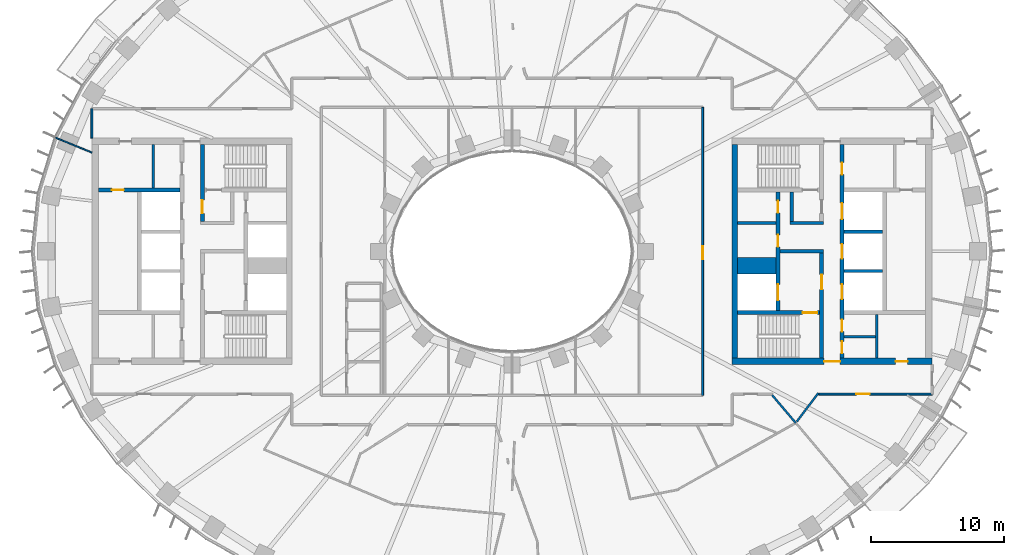
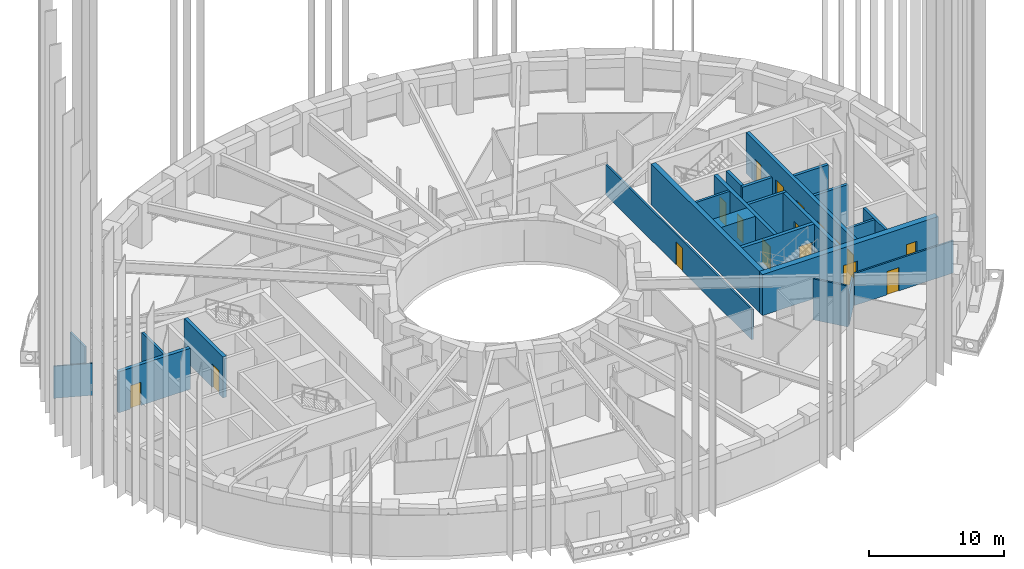
# One storey, part 5 of 20: 24 walls, 17 doors, 17 openings.
"""IFC4 building model written with IfcOpenShell, lengths in metres."""

from ifc_helpers import new_model, si_unit, direction, frame, frame_2d, origin, place, context, subcontext, project, spatial, rectangle, extrude, material, layer, layer_set, type_object, element, fill, save


model = new_model("IFC4")

# Units and contexts
model_context = context("Model", 3, precision=1e-05, world=origin(), true_north=direction((0.0, 1.0)))
body_context = subcontext(model_context, "Body", "Model", "MODEL_VIEW")
ifc_project = project(units=[si_unit("LENGTHUNIT", "METRE"), si_unit("AREAUNIT", "SQUARE_METRE"), si_unit("VOLUMEUNIT", "CUBIC_METRE"), si_unit("PLANEANGLEUNIT", "RADIAN"), si_unit("MASSUNIT", "GRAM", prefix="KILO")], contexts=[model_context])

# Site, building, storey
site_placement = place(None, origin())
site = spatial("IfcSite", under=ifc_project, at=site_placement, CompositionType="ELEMENT")
building_placement = place(site_placement, origin())
building = spatial("IfcBuilding", under=site, at=building_placement, Name="Noorbagh Ring Tower", CompositionType="ELEMENT")
storey_placement = place(building_placement, frame((0.0, 0.0, 88.0)))
storey = spatial("IfcBuildingStorey", under=building, at=storey_placement, Name="L19", CompositionType="ELEMENT", Elevation=88.0)

# Walls
ifc_material_1 = material(Name="Gypsum board on steel studs", Category="steel")
ifc_layer_1 = layer(ifc_material_1, 0.199951171875)
ifc_layer_set_1 = layer_set([ifc_layer_1], Name="Gypsum board on steel studs")
wall_type_1 = type_object("IfcWallType", Name="CORE-PARTITION-200", PredefinedType="PARTITIONING", material=ifc_layer_set_1)
wall_1_placement = place(storey_placement, frame((-26.89990234375, 4.75, 0.0), z_axis=(0.0, 0.0, 1.0), x_axis=(0.0, 1.0, 0.0)))
element("IfcWall", 1, at=wall_1_placement, inside=storey, type_object=wall_type_1, Name="Core partition W", PredefinedType="PARTITIONING", context=body_context, shape_type="SweptSolid", body=[
    extrude(rectangle(XDim=3.25, YDim=0.199951171875, at=frame_2d((1.625, 0.0))), origin(), (0.0, 0.0, 1.0), 3.699951171875),
])
wall_2_placement = place(storey_placement, frame((16.89990234375, 2.125, 0.0), z_axis=(0.0, 0.0, 1.0), x_axis=(1.0, 0.0, 0.0)))
element("IfcWall", 2, at=wall_2_placement, inside=storey, type_object=wall_type_1, Name="Core partition E", PredefinedType="PARTITIONING", context=body_context, shape_type="SweptSolid", body=[
    extrude(rectangle(XDim=2.900146484375, YDim=0.199951171875, at=frame_2d((1.4501953125, 0.0))), origin(), (0.0, 0.0, 1.0), 3.699951171875),
])
wall_3_placement = place(storey_placement, frame((27.35009765625, -8.0, 0.0), z_axis=(0.0, 0.0, 1.0), x_axis=(0.0, 1.0, 0.0)))
element("IfcWall", 3, at=wall_3_placement, inside=storey, type_object=wall_type_1, Name="Core partition E", PredefinedType="PARTITIONING", context=body_context, shape_type="SweptSolid", body=[
    extrude(rectangle(XDim=3.25, YDim=0.199951171875, at=frame_2d((1.625, 0.0))), origin(), (0.0, 0.0, 1.0), 3.699951171875),
])
wall_4_placement = place(storey_placement, frame((24.89990234375, -6.39990234375, 0.0), z_axis=(0.0, 0.0, 1.0), x_axis=(1.0, 0.0, 0.0)))
element("IfcWall", 4, at=wall_4_placement, inside=storey, type_object=wall_type_1, Name="Core partition E", PredefinedType="PARTITIONING", context=body_context, shape_type="SweptSolid", body=[
    extrude(rectangle(XDim=2.35009765625, YDim=0.199951171875, at=frame_2d((1.175048828125, 0.0))), origin(), (0.0, 0.0, 1.0), 3.699951171875),
])
ifc_material_2 = material(Name="Concrete C70/85", Category="concrete")
ifc_layer_2 = layer(ifc_material_2, 1.25)
ifc_layer_set_2 = layer_set([ifc_layer_2], Name="Concrete C70/85")
wall_type_2 = type_object("IfcWallType", Name="CORE-WALL-1250-C70-85-EI120", PredefinedType="SHEAR", material=ifc_layer_set_2)
wall_5_placement = place(storey_placement, frame((16.89990234375, -1.074951171875, 0.0), z_axis=(0.0, 0.0, 1.0), x_axis=(1.0, 0.0, 0.0)))
element("IfcWall", 5, at=wall_5_placement, inside=storey, type_object=wall_type_2, Name="Core wall E", PredefinedType="SHEAR", context=body_context, shape_type="SweptSolid", body=[
    extrude(rectangle(XDim=2.900146484375, YDim=1.25, at=frame_2d((1.4501953125, 0.0))), origin(), (0.0, 0.0, 1.0), 3.699951171875),
])
ifc_material_3 = material(Name="Concrete C70/85", Category="concrete")
ifc_layer_3 = layer(ifc_material_3, 0.25)
ifc_layer_set_3 = layer_set([ifc_layer_3], Name="Concrete C70/85")
wall_type_3 = type_object("IfcWallType", Name="CORE-WALL-250-C70-85-EI120", PredefinedType="SHEAR", material=ifc_layer_set_3)
for number, where, z_axis, x_axis, name in (
    (6, (24.89990234375, -1.47509765625, 0.0), (0.0, 0.0, 1.0), (1.0, 0.0, 0.0), "Core wall E"),
    (7, (24.89990234375, 1.47509765625, 0.0), (0.0, 0.0, 1.0), (1.0, 0.0, 0.0), "Core wall E"),
):
    element("IfcWall", number, at=place(storey_placement, frame(where, z_axis=z_axis, x_axis=x_axis)), inside=storey, type_object=wall_type_3, Name=name, PredefinedType="SHEAR", context=body_context, shape_type="SweptSolid", body=[
        extrude(rectangle(XDim=2.900146484375, YDim=0.25, at=frame_2d((1.4501953125, 0.0))), origin(), (0.0, 0.0, 1.0), 3.699951171875),
    ])
ifc_material_4 = material(Name="Concrete C70/85", Category="concrete")
ifc_layer_4 = layer(ifc_material_4, 0.25)
ifc_layer_set_4 = layer_set([ifc_layer_4], Name="Concrete C70/85")
wall_type_4 = type_object("IfcWallType", Name="CORE-WALL-250-C70-85-EI240", PredefinedType="SHEAR", material=ifc_layer_set_4)
wall_6_placement = place(storey_placement, frame((20.10009765625, 0.0, 0.0), z_axis=(0.0, 0.0, 1.0), x_axis=(1.0, 0.0, 0.0)))
element("IfcWall", 8, at=wall_6_placement, inside=storey, type_object=wall_type_4, Name="Core wall E", PredefinedType="SHEAR", context=body_context, shape_type="SweptSolid", body=[
    extrude(rectangle(XDim=3.27978515625, YDim=0.25, at=frame_2d((1.639892578125, 0.0))), origin(), (0.0, 0.0, 1.0), 3.699951171875),
])
wall_7_placement = place(storey_placement, frame((20.85009765625, 2.125, 0.0), z_axis=(0.0, 0.0, 1.0), x_axis=(1.0, 0.0, 0.0)))
element("IfcWall", 9, at=wall_7_placement, inside=storey, type_object=wall_type_4, Name="Core wall E", PredefinedType="SHEAR", context=body_context, shape_type="SweptSolid", body=[
    extrude(rectangle(XDim=2.52978515625, YDim=0.25, at=frame_2d((1.264892578125, 0.0))), origin(), (0.0, 0.0, 1.0), 3.699951171875),
])
wall_8_placement = place(storey_placement, frame((20.97509765625, 2.25, 0.0), z_axis=(0.0, 0.0, 1.0), x_axis=(0.0, 1.0, 0.0)))
element("IfcWall", 10, at=wall_8_placement, inside=storey, type_object=wall_type_4, Name="Core wall E", PredefinedType="SHEAR", context=body_context, shape_type="SweptSolid", body=[
    extrude(rectangle(XDim=2.199951171875, YDim=0.25, at=frame_2d((1.10009765625, 0.0))), origin(), (0.0, 0.0, 1.0), 3.699951171875),
])

# Wall, openings, doors
ifc_material_5 = material(Name="Concrete C70/85", Category="concrete")
ifc_layer_5 = layer(ifc_material_5, 0.300048828125)
ifc_layer_set_5 = layer_set([ifc_layer_5], Name="Concrete C70/85")
wall_type_5 = type_object("IfcWallType", Name="CORE-WALL-300-C70-85-EI120", PredefinedType="SHEAR", material=ifc_layer_set_5)
wall_9_placement = place(storey_placement, frame((19.949951171875, -4.449951171875, 0.0), z_axis=(0.0, 0.0, 1.0), x_axis=(0.0, 1.0, 0.0)))
wall_9 = element("IfcWall", 11, at=wall_9_placement, inside=storey, type_object=wall_type_5, Name="Core wall E", PredefinedType="SHEAR", context=body_context, shape_type="SweptSolid", body=[
    extrude(rectangle(XDim=8.89990234375, YDim=0.300048828125, at=frame_2d((4.449951171875, 0.0))), origin(), (0.0, 0.0, 1.0), 3.699951171875),
])
opening_1_placement = place(wall_9_placement, frame((0.77490234375, 0.0, 0.0)))
opening_1 = element("IfcOpeningElement", 12, at=opening_1_placement, cuts=wall_9, Name="Opening L19-CE01", PredefinedType="OPENING", context=body_context, shape_type="SweptSolid", body=[
    extrude(rectangle(XDim=1.199951171875, YDim=2.10009765625, at=frame_2d((0.60009765625, 1.050048828125))), frame((0.0, 0.16015625, 0.0), z_axis=(0.0, -1.0, 0.0), x_axis=(1.0, 0.0, 0.0)), (0.0, 0.0, 1.0), 0.320068359375),
])
opening_2_placement = place(wall_9_placement, frame((4.78759765625, 0.0, 0.0)))
opening_2 = element("IfcOpeningElement", 13, at=opening_2_placement, cuts=wall_9, Name="Opening L19-CE11", PredefinedType="OPENING", context=body_context, shape_type="SweptSolid", body=[
    extrude(rectangle(XDim=0.89990234375, YDim=2.10009765625, at=frame_2d((0.449951171875, 1.050048828125))), frame((0.0, 0.16015625, 0.0), z_axis=(0.0, -1.0, 0.0), x_axis=(1.0, 0.0, 0.0)), (0.0, 0.0, 1.0), 0.320068359375),
])
opening_3_placement = place(wall_9_placement, frame((7.33740234375, 0.0, 0.0)))
opening_3 = element("IfcOpeningElement", 14, at=opening_3_placement, cuts=wall_9, Name="Opening L19-CE12", PredefinedType="OPENING", context=body_context, shape_type="SweptSolid", body=[
    extrude(rectangle(XDim=0.89990234375, YDim=2.10009765625, at=frame_2d((0.449951171875, 1.050048828125))), frame((0.0, 0.16015625, 0.0), z_axis=(0.0, -1.0, 0.0), x_axis=(1.0, 0.0, 0.0)), (0.0, 0.0, 1.0), 0.320068359375),
])
ifc_material_6 = material(Name="Steel door leaf", Category="steel")
door_type_1 = type_object("IfcDoorType", Name="CORE-DOOR-DROOM", OperationType="SINGLE_SWING_LEFT", PredefinedType="DOOR", material=ifc_material_6)
door_1_placement = place(opening_2_placement, origin())
door_1 = element("IfcDoor", 15, at=door_1_placement, inside=storey, type_object=door_type_1, Name="Core room door L19-CE11", OperationType="SINGLE_SWING_RIGHT", OverallHeight=2.10009765625, OverallWidth=0.89990234375, PredefinedType="DOOR", context=body_context, shape_type="SweptSolid", body=[
    extrude(rectangle(XDim=0.89990234375, YDim=2.10009765625, at=frame_2d((0.449951171875, 1.050048828125))), frame((0.0, 0.02490234375, 0.0), z_axis=(0.0, -1.0, 0.0), x_axis=(1.0, 0.0, 0.0)), (0.0, 0.0, 1.0), 0.050048828125),
])
fill(opening_2, door_1)
door_2_placement = place(opening_3_placement, origin())
door_2 = element("IfcDoor", 16, at=door_2_placement, inside=storey, type_object=door_type_1, Name="Core room door L19-CE12", OperationType="SINGLE_SWING_RIGHT", OverallHeight=2.10009765625, OverallWidth=0.89990234375, PredefinedType="DOOR", context=body_context, shape_type="SweptSolid", body=[
    extrude(rectangle(XDim=0.89990234375, YDim=2.10009765625, at=frame_2d((0.449951171875, 1.050048828125))), frame((0.0, 0.02490234375, 0.0), z_axis=(0.0, -1.0, 0.0), x_axis=(1.0, 0.0, 0.0)), (0.0, 0.0, 1.0), 0.050048828125),
])
fill(opening_3, door_2)
ifc_material_7 = material(Name="Steel door leaf", Category="steel")
door_type_2 = type_object("IfcDoorType", Name="CORE-DOOR-LDW", OperationType="DOUBLE_DOOR_SLIDING", PredefinedType="DOOR", material=ifc_material_7)
door_3_placement = place(opening_1_placement, origin())
door_3 = element("IfcDoor", 17, at=door_3_placement, inside=storey, type_object=door_type_2, Name="Landing door FF2 L19-CE01", OperationType="DOUBLE_DOOR_SLIDING", OverallHeight=2.10009765625, OverallWidth=1.199951171875, PredefinedType="DOOR", context=body_context, shape_type="SweptSolid", body=[
    extrude(rectangle(XDim=1.199951171875, YDim=2.10009765625, at=frame_2d((0.60009765625, 1.050048828125))), frame((0.0, 0.02490234375, 0.0), z_axis=(0.0, -1.0, 0.0), x_axis=(1.0, 0.0, 0.0)), (0.0, 0.0, 1.0), 0.050048828125),
])
fill(opening_1, door_3)

wall_10_placement = place(storey_placement, frame((24.75, -8.0, 0.0), z_axis=(0.0, 0.0, 1.0), x_axis=(0.0, 1.0, 0.0)))
wall_10 = element("IfcWall", 18, at=wall_10_placement, inside=storey, type_object=wall_type_5, Name="Core wall E", PredefinedType="SHEAR", context=body_context, shape_type="SweptSolid", body=[
    extrude(rectangle(XDim=16.0, YDim=0.300048828125, at=frame_2d((8.0, 0.0))), origin(), (0.0, 0.0, 1.0), 3.699951171875),
])
opening_4_placement = place(wall_10_placement, frame((4.425048828125, 0.0, 0.0)))
opening_4 = element("IfcOpeningElement", 19, at=opening_4_placement, cuts=wall_10, Name="Opening L19-CE02", PredefinedType="OPENING", context=body_context, shape_type="SweptSolid", body=[
    extrude(rectangle(XDim=1.10009765625, YDim=2.10009765625, at=frame_2d((0.550048828125, 1.050048828125))), frame((0.0, 0.16015625, 0.0), z_axis=(0.0, -1.0, 0.0), x_axis=(1.0, 0.0, 0.0)), (0.0, 0.0, 1.0), 0.320068359375),
])
opening_5_placement = place(wall_10_placement, frame((7.449951171875, 0.0, 0.0)))
opening_5 = element("IfcOpeningElement", 20, at=opening_5_placement, cuts=wall_10, Name="Opening L19-CE03", PredefinedType="OPENING", context=body_context, shape_type="SweptSolid", body=[
    extrude(rectangle(XDim=1.10009765625, YDim=2.10009765625, at=frame_2d((0.550048828125, 1.050048828125))), frame((0.0, 0.16015625, 0.0), z_axis=(0.0, -1.0, 0.0), x_axis=(1.0, 0.0, 0.0)), (0.0, 0.0, 1.0), 0.320068359375),
])
opening_6_placement = place(wall_10_placement, frame((10.425048828125, 0.0, 0.0)))
opening_6 = element("IfcOpeningElement", 21, at=opening_6_placement, cuts=wall_10, Name="Opening L19-CE04", PredefinedType="OPENING", context=body_context, shape_type="SweptSolid", body=[
    extrude(rectangle(XDim=1.199951171875, YDim=2.10009765625, at=frame_2d((0.60009765625, 1.050048828125))), frame((0.0, 0.16015625, 0.0), z_axis=(0.0, -1.0, 0.0), x_axis=(1.0, 0.0, 0.0)), (0.0, 0.0, 1.0), 0.320068359375),
])
opening_7_placement = place(wall_10_placement, frame((13.75, 0.0, 0.0)))
opening_7 = element("IfcOpeningElement", 22, at=opening_7_placement, cuts=wall_10, Name="Opening L19-CE13", PredefinedType="OPENING", context=body_context, shape_type="SweptSolid", body=[
    extrude(rectangle(XDim=0.89990234375, YDim=2.10009765625, at=frame_2d((0.449951171875, 1.050048828125))), frame((0.0, 0.16015625, 0.0), z_axis=(0.0, -1.0, 0.0), x_axis=(1.0, 0.0, 0.0)), (0.0, 0.0, 1.0), 0.320068359375),
])
opening_8_placement = place(wall_10_placement, frame((1.97509765625, 0.0, 0.0)))
opening_8 = element("IfcOpeningElement", 23, at=opening_8_placement, cuts=wall_10, Name="Opening L19-CE15", PredefinedType="OPENING", context=body_context, shape_type="SweptSolid", body=[
    extrude(rectangle(XDim=0.89990234375, YDim=2.10009765625, at=frame_2d((0.449951171875, 1.050048828125))), frame((0.0, 0.16015625, 0.0), z_axis=(0.0, -1.0, 0.0), x_axis=(1.0, 0.0, 0.0)), (0.0, 0.0, 1.0), 0.320068359375),
])
opening_9_placement = place(wall_10_placement, frame((0.35009765625, 0.0, 0.0)))
opening_9 = element("IfcOpeningElement", 24, at=opening_9_placement, cuts=wall_10, Name="Opening L19-CE16", PredefinedType="OPENING", context=body_context, shape_type="SweptSolid", body=[
    extrude(rectangle(XDim=0.89990234375, YDim=2.10009765625, at=frame_2d((0.449951171875, 1.050048828125))), frame((0.0, 0.16015625, 0.0), z_axis=(0.0, -1.0, 0.0), x_axis=(1.0, 0.0, 0.0)), (0.0, 0.0, 1.0), 0.320068359375),
])
door_4_placement = place(opening_7_placement, origin())
door_4 = element("IfcDoor", 25, at=door_4_placement, inside=storey, type_object=door_type_1, Name="Core room door L19-CE13", OperationType="SINGLE_SWING_LEFT", OverallHeight=2.10009765625, OverallWidth=0.89990234375, PredefinedType="DOOR", context=body_context, shape_type="SweptSolid", body=[
    extrude(rectangle(XDim=0.89990234375, YDim=2.10009765625, at=frame_2d((0.449951171875, 1.050048828125))), frame((0.0, 0.02490234375, 0.0), z_axis=(0.0, -1.0, 0.0), x_axis=(1.0, 0.0, 0.0)), (0.0, 0.0, 1.0), 0.050048828125),
])
fill(opening_7, door_4)
door_5_placement = place(opening_8_placement, origin())
door_5 = element("IfcDoor", 26, at=door_5_placement, inside=storey, type_object=door_type_1, Name="Core room door L19-CE15", OperationType="SINGLE_SWING_LEFT", OverallHeight=2.10009765625, OverallWidth=0.89990234375, PredefinedType="DOOR", context=body_context, shape_type="SweptSolid", body=[
    extrude(rectangle(XDim=0.89990234375, YDim=2.10009765625, at=frame_2d((0.449951171875, 1.050048828125))), frame((0.0, 0.02490234375, 0.0), z_axis=(0.0, -1.0, 0.0), x_axis=(1.0, 0.0, 0.0)), (0.0, 0.0, 1.0), 0.050048828125),
])
fill(opening_8, door_5)
door_6_placement = place(opening_9_placement, origin())
door_6 = element("IfcDoor", 27, at=door_6_placement, inside=storey, type_object=door_type_1, Name="Core room door L19-CE16", OperationType="SINGLE_SWING_RIGHT", OverallHeight=2.10009765625, OverallWidth=0.89990234375, PredefinedType="DOOR", context=body_context, shape_type="SweptSolid", body=[
    extrude(rectangle(XDim=0.89990234375, YDim=2.10009765625, at=frame_2d((0.449951171875, 1.050048828125))), frame((0.0, 0.02490234375, 0.0), z_axis=(0.0, -1.0, 0.0), x_axis=(1.0, 0.0, 0.0)), (0.0, 0.0, 1.0), 0.050048828125),
])
fill(opening_9, door_6)
ifc_material_8 = material(Name="Steel door leaf", Category="steel")
door_type_3 = type_object("IfcDoorType", Name="CORE-DOOR-LD", OperationType="DOUBLE_DOOR_SLIDING", PredefinedType="DOOR", material=ifc_material_8)
door_7_placement = place(opening_4_placement, origin())
door_7 = element("IfcDoor", 28, at=door_7_placement, inside=storey, type_object=door_type_3, Name="Landing door LR3 L19-CE02", OperationType="DOUBLE_DOOR_SLIDING", OverallHeight=2.10009765625, OverallWidth=1.10009765625, PredefinedType="DOOR", context=body_context, shape_type="SweptSolid", body=[
    extrude(rectangle(XDim=1.10009765625, YDim=2.10009765625, at=frame_2d((0.550048828125, 1.050048828125))), frame((0.0, 0.02490234375, 0.0), z_axis=(0.0, -1.0, 0.0), x_axis=(1.0, 0.0, 0.0)), (0.0, 0.0, 1.0), 0.050048828125),
])
fill(opening_4, door_7)
door_8_placement = place(opening_5_placement, origin())
door_8 = element("IfcDoor", 29, at=door_8_placement, inside=storey, type_object=door_type_3, Name="Landing door LR4 L19-CE03", OperationType="DOUBLE_DOOR_SLIDING", OverallHeight=2.10009765625, OverallWidth=1.10009765625, PredefinedType="DOOR", context=body_context, shape_type="SweptSolid", body=[
    extrude(rectangle(XDim=1.10009765625, YDim=2.10009765625, at=frame_2d((0.550048828125, 1.050048828125))), frame((0.0, 0.02490234375, 0.0), z_axis=(0.0, -1.0, 0.0), x_axis=(1.0, 0.0, 0.0)), (0.0, 0.0, 1.0), 0.050048828125),
])
fill(opening_5, door_8)
door_9_placement = place(opening_6_placement, origin())
door_9 = element("IfcDoor", 30, at=door_9_placement, inside=storey, type_object=door_type_2, Name="Landing door SV2 L19-CE04", OperationType="DOUBLE_DOOR_SLIDING", OverallHeight=2.10009765625, OverallWidth=1.199951171875, PredefinedType="DOOR", context=body_context, shape_type="SweptSolid", body=[
    extrude(rectangle(XDim=1.199951171875, YDim=2.10009765625, at=frame_2d((0.60009765625, 1.050048828125))), frame((0.0, 0.02490234375, 0.0), z_axis=(0.0, -1.0, 0.0), x_axis=(1.0, 0.0, 0.0)), (0.0, 0.0, 1.0), 0.050048828125),
])
fill(opening_6, door_9)

# Wall, opening, door
ifc_material_9 = material(Name="Concrete C70/85", Category="concrete")
ifc_layer_6 = layer(ifc_material_9, 0.300048828125)
ifc_layer_set_6 = layer_set([ifc_layer_6], Name="Concrete C70/85")
wall_type_6 = type_object("IfcWallType", Name="CORE-WALL-300-C70-85-EI240", PredefinedType="SHEAR", material=ifc_layer_set_6)
wall_11_placement = place(storey_placement, frame((-24.89990234375, 4.60009765625, 0.0), z_axis=(0.0, 0.0, 1.0), x_axis=(-1.0, 0.0, 0.0)))
wall_11 = element("IfcWall", 31, at=wall_11_placement, inside=storey, type_object=wall_type_6, Name="Core wall W", PredefinedType="SHEAR", context=body_context, shape_type="SweptSolid", body=[
    extrude(rectangle(XDim=6.10009765625, YDim=0.300048828125, at=frame_2d((3.050048828125, 0.0))), origin(), (0.0, 0.0, 1.0), 3.699951171875),
])
opening_10_placement = place(wall_11_placement, frame((4.199951171875, 0.0, 0.0)))
opening_10 = element("IfcOpeningElement", 32, at=opening_10_placement, cuts=wall_11, Name="Opening L19-CW16", PredefinedType="OPENING", context=body_context, shape_type="SweptSolid", body=[
    extrude(rectangle(XDim=0.89990234375, YDim=2.10009765625, at=frame_2d((0.449951171875, 1.050048828125))), frame((0.0, 0.16015625, 0.0), z_axis=(0.0, -1.0, 0.0), x_axis=(1.0, 0.0, 0.0)), (0.0, 0.0, 1.0), 0.320068359375),
])
door_10_placement = place(opening_10_placement, origin())
door_10 = element("IfcDoor", 33, at=door_10_placement, inside=storey, type_object=door_type_1, Name="Core room door L19-CW16", OperationType="SINGLE_SWING_LEFT", OverallHeight=2.10009765625, OverallWidth=0.89990234375, PredefinedType="DOOR", context=body_context, shape_type="SweptSolid", body=[
    extrude(rectangle(XDim=0.89990234375, YDim=2.10009765625, at=frame_2d((0.449951171875, 1.050048828125))), frame((0.0, 0.02490234375, 0.0), z_axis=(0.0, -1.0, 0.0), x_axis=(1.0, 0.0, 0.0)), (0.0, 0.0, 1.0), 0.050048828125),
])
fill(opening_10, door_10)

wall_12_placement = place(storey_placement, frame((-23.22998046875, 2.25, 0.0), z_axis=(0.0, 0.0, 1.0), x_axis=(0.0, 1.0, 0.0)))
wall_12 = element("IfcWall", 34, at=wall_12_placement, inside=storey, type_object=wall_type_6, Name="Core wall W", PredefinedType="SHEAR", context=body_context, shape_type="SweptSolid", body=[
    extrude(rectangle(XDim=5.75, YDim=0.300048828125, at=frame_2d((2.875, 0.0))), origin(), (0.0, 0.0, 1.0), 3.699951171875),
])
opening_11_placement = place(wall_12_placement, frame((0.60009765625, 0.0, 0.0)))
opening_11 = element("IfcOpeningElement", 35, at=opening_11_placement, cuts=wall_12, Name="Opening L19-CW08", PredefinedType="OPENING", context=body_context, shape_type="SweptSolid", body=[
    extrude(rectangle(XDim=1.0, YDim=2.10009765625, at=frame_2d((0.5, 1.050048828125))), frame((0.0, 0.16015625, 0.0), z_axis=(0.0, -1.0, 0.0), x_axis=(1.0, 0.0, 0.0)), (0.0, 0.0, 1.0), 0.320068359375),
])
ifc_material_10 = material(Name="Steel door leaf", Category="steel")
door_type_4 = type_object("IfcDoorType", Name="CORE-DOOR-DVEST", OperationType="SINGLE_SWING_LEFT", PredefinedType="DOOR", material=ifc_material_10)
door_11_placement = place(opening_11_placement, origin())
door_11 = element("IfcDoor", 36, at=door_11_placement, inside=storey, type_object=door_type_4, Name="Stair vestibule door L19-CW08", OperationType="SINGLE_SWING_LEFT", OverallHeight=2.10009765625, OverallWidth=1.0, PredefinedType="DOOR", context=body_context, shape_type="SweptSolid", body=[
    extrude(rectangle(XDim=1.0, YDim=2.10009765625, at=frame_2d((0.5, 1.050048828125))), frame((0.0, 0.02490234375, 0.0), z_axis=(0.0, -1.0, 0.0), x_axis=(1.0, 0.0, 0.0)), (0.0, 0.0, 1.0), 0.050048828125),
])
fill(opening_11, door_11)

wall_13_placement = place(storey_placement, frame((23.22998046875, -8.0, 0.0), z_axis=(0.0, 0.0, 1.0), x_axis=(0.0, 1.0, 0.0)))
wall_13 = element("IfcWall", 37, at=wall_13_placement, inside=storey, type_object=wall_type_6, Name="Core wall E", PredefinedType="SHEAR", context=body_context, shape_type="SweptSolid", body=[
    extrude(rectangle(XDim=7.875, YDim=0.300048828125, at=frame_2d((3.9375, 0.0))), origin(), (0.0, 0.0, 1.0), 3.699951171875),
])
opening_12_placement = place(wall_13_placement, frame((5.14990234375, 0.0, 0.0)))
opening_12 = element("IfcOpeningElement", 38, at=opening_12_placement, cuts=wall_13, Name="Opening L19-CE07", PredefinedType="OPENING", context=body_context, shape_type="SweptSolid", body=[
    extrude(rectangle(XDim=1.10009765625, YDim=2.10009765625, at=frame_2d((0.550048828125, 1.050048828125))), frame((0.0, 0.16015625, 0.0), z_axis=(0.0, -1.0, 0.0), x_axis=(1.0, 0.0, 0.0)), (0.0, 0.0, 1.0), 0.320068359375),
])
ifc_material_11 = material(Name="Steel door leaf", Category="steel")
door_type_5 = type_object("IfcDoorType", Name="CORE-DOOR-DFF", OperationType="SINGLE_SWING_LEFT", PredefinedType="DOOR", material=ifc_material_11)
door_12_placement = place(opening_12_placement, origin())
door_12 = element("IfcDoor", 39, at=door_12_placement, inside=storey, type_object=door_type_5, Name="Firefighting lobby door L19-CE07", OperationType="SINGLE_SWING_RIGHT", OverallHeight=2.10009765625, OverallWidth=1.10009765625, PredefinedType="DOOR", context=body_context, shape_type="SweptSolid", body=[
    extrude(rectangle(XDim=1.10009765625, YDim=2.10009765625, at=frame_2d((0.550048828125, 1.050048828125))), frame((0.0, 0.02490234375, 0.0), z_axis=(0.0, -1.0, 0.0), x_axis=(1.0, 0.0, 0.0)), (0.0, 0.0, 1.0), 0.050048828125),
])
fill(opening_12, door_12)

wall_14_placement = place(storey_placement, frame((16.89990234375, -4.60009765625, 0.0), z_axis=(0.0, 0.0, 1.0), x_axis=(1.0, 0.0, 0.0)))
wall_14 = element("IfcWall", 40, at=wall_14_placement, inside=storey, type_object=wall_type_6, Name="Core wall E", PredefinedType="SHEAR", context=body_context, shape_type="SweptSolid", body=[
    extrude(rectangle(XDim=6.18017578125, YDim=0.300048828125, at=frame_2d((3.090087890625, 0.0))), origin(), (0.0, 0.0, 1.0), 3.699951171875),
])
opening_13_placement = place(wall_14_placement, frame((4.89990234375, 0.0, 0.0)))
opening_13 = element("IfcOpeningElement", 41, at=opening_13_placement, cuts=wall_14, Name="Opening L19-CE06", PredefinedType="OPENING", context=body_context, shape_type="SweptSolid", body=[
    extrude(rectangle(XDim=1.10009765625, YDim=2.10009765625, at=frame_2d((0.550048828125, 1.050048828125))), frame((0.0, 0.16015625, 0.0), z_axis=(0.0, -1.0, 0.0), x_axis=(1.0, 0.0, 0.0)), (0.0, 0.0, 1.0), 0.320068359375),
])
ifc_material_12 = material(Name="Steel door leaf", Category="steel")
door_type_6 = type_object("IfcDoorType", Name="CORE-DOOR-DSTAIR", OperationType="SINGLE_SWING_LEFT", PredefinedType="DOOR", material=ifc_material_12)
door_13_placement = place(opening_13_placement, origin())
door_13 = element("IfcDoor", 42, at=door_13_placement, inside=storey, type_object=door_type_6, Name="Stair door ST4 L19-CE06", OperationType="SINGLE_SWING_RIGHT", OverallHeight=2.10009765625, OverallWidth=1.10009765625, PredefinedType="DOOR", context=body_context, shape_type="SweptSolid", body=[
    extrude(rectangle(XDim=1.10009765625, YDim=2.10009765625, at=frame_2d((0.550048828125, 1.050048828125))), frame((0.0, 0.02490234375, 0.0), z_axis=(0.0, -1.0, 0.0), x_axis=(1.0, 0.0, 0.0)), (0.0, 0.0, 1.0), 0.050048828125),
])
fill(opening_13, door_13)

# Wall
ifc_material_13 = material(Name="Concrete C70/85", Category="concrete")
ifc_layer_7 = layer(ifc_material_13, 0.39990234375)
ifc_layer_set_7 = layer_set([ifc_layer_7], Name="Concrete C70/85")
wall_type_7 = type_object("IfcWallType", Name="CORE-WALL-400-C70-85-EI240", PredefinedType="SHEAR", material=ifc_layer_set_7)
wall_15_placement = place(storey_placement, frame((16.699951171875, -8.0, 0.0), z_axis=(0.0, 0.0, 1.0), x_axis=(0.0, 1.0, 0.0)))
element("IfcWall", 43, at=wall_15_placement, inside=storey, type_object=wall_type_7, Name="Core wall E", PredefinedType="SHEAR", context=body_context, shape_type="SweptSolid", body=[
    extrude(rectangle(XDim=16.0, YDim=0.39990234375, at=frame_2d((8.0, 0.0))), origin(), (0.0, 0.0, 1.0), 3.699951171875),
])

# Wall, openings, doors
ifc_material_14 = material(Name="Concrete C70/85", Category="concrete")
ifc_layer_8 = layer(ifc_material_14, 0.5)
ifc_layer_set_8 = layer_set([ifc_layer_8], Name="Concrete C70/85")
wall_type_8 = type_object("IfcWallType", Name="CORE-WALL-500-C70-85-EI240", PredefinedType="SHEAR", material=ifc_layer_set_8)
wall_16_placement = place(storey_placement, frame((16.5, -8.25, 0.0), z_axis=(0.0, 0.0, 1.0), x_axis=(1.0, 0.0, 0.0)))
wall_16 = element("IfcWall", 44, at=wall_16_placement, inside=storey, type_object=wall_type_8, Name="Core wall E", PredefinedType="SHEAR", context=body_context, shape_type="SweptSolid", body=[
    extrude(rectangle(XDim=15.0, YDim=0.5, at=frame_2d((7.5, 0.0))), origin(), (0.0, 0.0, 1.0), 3.699951171875),
])
opening_14_placement = place(wall_16_placement, frame((6.89990234375, 0.0, 0.0)))
opening_14 = element("IfcOpeningElement", 45, at=opening_14_placement, cuts=wall_16, Name="Opening L19-CE10", PredefinedType="OPENING", context=body_context, shape_type="SweptSolid", body=[
    extrude(rectangle(XDim=1.199951171875, YDim=2.10009765625, at=frame_2d((0.60009765625, 1.050048828125))), frame((0.0, 0.260009765625, 0.0), z_axis=(0.0, -1.0, 0.0), x_axis=(1.0, 0.0, 0.0)), (0.0, 0.0, 1.0), 0.52001953125),
])
opening_15_placement = place(wall_16_placement, frame((12.27490234375, 0.0, 0.0)))
opening_15 = element("IfcOpeningElement", 46, at=opening_15_placement, cuts=wall_16, Name="Opening L19-CE17", PredefinedType="OPENING", context=body_context, shape_type="SweptSolid", body=[
    extrude(rectangle(XDim=0.89990234375, YDim=2.10009765625, at=frame_2d((0.449951171875, 1.050048828125))), frame((0.0, 0.260009765625, 0.0), z_axis=(0.0, -1.0, 0.0), x_axis=(1.0, 0.0, 0.0)), (0.0, 0.0, 1.0), 0.52001953125),
])
door_14_placement = place(opening_15_placement, origin())
door_14 = element("IfcDoor", 47, at=door_14_placement, inside=storey, type_object=door_type_1, Name="Core room door L19-CE17", OperationType="SINGLE_SWING_RIGHT", OverallHeight=2.10009765625, OverallWidth=0.89990234375, PredefinedType="DOOR", context=body_context, shape_type="SweptSolid", body=[
    extrude(rectangle(XDim=0.89990234375, YDim=2.10009765625, at=frame_2d((0.449951171875, 1.050048828125))), frame((0.0, 0.02490234375, 0.0), z_axis=(0.0, -1.0, 0.0), x_axis=(1.0, 0.0, 0.0)), (0.0, 0.0, 1.0), 0.050048828125),
])
fill(opening_15, door_14)
ifc_material_15 = material(Name="Steel door leaf", Category="steel")
door_type_7 = type_object("IfcDoorType", Name="CORE-DOOR-PORT", OperationType="DOUBLE_DOOR_DOUBLE_SWING", PredefinedType="DOOR", material=ifc_material_15)
door_15_placement = place(opening_14_placement, origin())
door_15 = element("IfcDoor", 48, at=door_15_placement, inside=storey, type_object=door_type_7, Name="Core entrance door L19-CE10", OperationType="DOUBLE_DOOR_DOUBLE_SWING", OverallHeight=2.10009765625, OverallWidth=1.199951171875, PredefinedType="DOOR", context=body_context, shape_type="SweptSolid", body=[
    extrude(rectangle(XDim=1.199951171875, YDim=2.10009765625, at=frame_2d((0.60009765625, 1.050048828125))), frame((0.0, 0.02490234375, 0.0), z_axis=(0.0, -1.0, 0.0), x_axis=(1.0, 0.0, 0.0)), (0.0, 0.0, 1.0), 0.050048828125),
])
fill(opening_14, door_15)

# Wall
ifc_material_16 = material(Name="Gypsum board on steel studs", Category="steel")
ifc_layer_9 = layer(ifc_material_16, 0.14990234375)
ifc_layer_set_9 = layer_set([ifc_layer_9], Name="Gypsum board on steel studs")
wall_type_9 = type_object("IfcWallType", Name="CORRIDOR PARTITION 150 EI 30", PredefinedType="PARTITIONING", material=ifc_layer_set_9)
wall_17_placement = place(storey_placement, frame((-31.5, 8.5, 0.0), z_axis=(0.0, 0.0, 1.0), x_axis=(0.0, 1.0, 0.0)))
element("IfcWall", 49, at=wall_17_placement, inside=storey, type_object=wall_type_9, Name="L19/wall/P04", PredefinedType="PARTITIONING", context=body_context, shape_type="SweptSolid", body=[
    extrude(rectangle(XDim=2.199951171875, YDim=0.14990234375, at=frame_2d((1.10009765625, 0.0))), origin(), (0.0, 0.0, 1.0), 3.699951171875),
])

# Wall, opening, door
wall_18_placement = place(storey_placement, frame((14.300048828125, -10.800048828125, 0.0), z_axis=(0.0, 0.0, 1.0), x_axis=(0.0, 1.0, 0.0)))
wall_18 = element("IfcWall", 50, at=wall_18_placement, inside=storey, type_object=wall_type_9, Name="L19/wall/P78", PredefinedType="PARTITIONING", context=body_context, shape_type="SweptSolid", body=[
    extrude(rectangle(XDim=21.60009765625, YDim=0.14990234375, at=frame_2d((10.800048828125, 0.0))), origin(), (0.0, 0.0, 1.0), 2.75),
])
opening_16_placement = place(wall_18_placement, frame((10.199951171875, 0.0, 0.0)))
opening_16 = element("IfcOpeningElement", 51, at=opening_16_placement, cuts=wall_18, Name="Opening D1", PredefinedType="OPENING", context=body_context, shape_type="SweptSolid", body=[
    extrude(rectangle(XDim=1.0, YDim=2.10009765625, at=frame_2d((0.5, 1.050048828125))), frame((0.0, 0.0849609375, 0.0), z_axis=(0.0, -1.0, 0.0), x_axis=(1.0, 0.0, 0.0)), (0.0, 0.0, 1.0), 0.169921875),
])
ifc_material_17 = material(Name="Timber, painted", Category="wood")
door_type_8 = type_object("IfcDoorType", Name="DOOR 1000 X 2100 FD30", OperationType="SINGLE_SWING_LEFT", PredefinedType="DOOR", material=ifc_material_17)
door_16_placement = place(opening_16_placement, origin())
door_16 = element("IfcDoor", 52, at=door_16_placement, inside=storey, type_object=door_type_8, Name="L19-D33", OperationType="SINGLE_SWING_LEFT", OverallHeight=2.10009765625, OverallWidth=1.0, PredefinedType="DOOR", context=body_context, shape_type="SweptSolid", body=[
    extrude(rectangle(XDim=1.0, YDim=2.10009765625, at=frame_2d((0.5, 1.050048828125))), frame((0.0, 0.02490234375, 0.0), z_axis=(0.0, -1.0, 0.0), x_axis=(1.0, 0.0, 0.0)), (0.0, 0.0, 1.0), 0.050048828125),
])
fill(opening_16, door_16)

# Walls
wall_19_placement = place(storey_placement, frame((19.510986328125, -10.778076171875, 0.0), z_axis=(0.0, 0.0, 1.0), x_axis=(0.64641426768, -0.762986628021, 0.0)))
element("IfcWall", 53, at=wall_19_placement, inside=storey, type_object=wall_type_9, Name="L19/wall/P85", PredefinedType="PARTITIONING", context=body_context, shape_type="SweptSolid", body=[
    extrude(rectangle(XDim=2.735107421875, YDim=0.14990234375, at=frame_2d((1.36767578125, 0.0))), origin(), (0.0, 0.0, 1.0), 3.699951171875),
])
wall_20_placement = place(storey_placement, frame((21.35498046875, -12.764892578125, 0.0), z_axis=(0.0, 0.0, 1.0), x_axis=(0.603391001626, 0.797445483502, 0.0)))
element("IfcWall", 54, at=wall_20_placement, inside=storey, type_object=wall_type_9, Name="L19/wall/P87", PredefinedType="PARTITIONING", context=body_context, shape_type="SweptSolid", body=[
    extrude(rectangle(XDim=2.6796875, YDim=0.14990234375, at=frame_2d((1.33984375, 0.0))), origin(), (0.0, 0.0, 1.0), 2.75),
])

# Wall, opening, door
wall_21_placement = place(storey_placement, frame((23.010986328125, -10.699951171875, 0.0), z_axis=(0.0, 0.0, 1.0), x_axis=(1.0, 0.0, 0.0)))
wall_21 = element("IfcWall", 55, at=wall_21_placement, inside=storey, type_object=wall_type_9, Name="L19/wall/P91", PredefinedType="PARTITIONING", context=body_context, shape_type="SweptSolid", body=[
    extrude(rectangle(XDim=8.489013671875, YDim=0.14990234375, at=frame_2d((4.24462890625, 0.0))), origin(), (0.0, 0.0, 1.0), 2.89990234375),
])
opening_17_placement = place(wall_21_placement, frame((2.805908203125, 0.0, 0.0)))
opening_17 = element("IfcOpeningElement", 56, at=opening_17_placement, cuts=wall_21, Name="Opening D1", PredefinedType="OPENING", context=body_context, shape_type="SweptSolid", body=[
    extrude(rectangle(XDim=1.0, YDim=2.10009765625, at=frame_2d((0.5, 1.050048828125))), frame((0.0, 0.0849609375, 0.0), z_axis=(0.0, -1.0, 0.0), x_axis=(1.0, 0.0, 0.0)), (0.0, 0.0, 1.0), 0.169921875),
])
door_17_placement = place(opening_17_placement, origin())
door_17 = element("IfcDoor", 57, at=door_17_placement, inside=storey, type_object=door_type_8, Name="L19-D23", OperationType="SINGLE_SWING_LEFT", OverallHeight=2.10009765625, OverallWidth=1.0, PredefinedType="DOOR", context=body_context, shape_type="SweptSolid", body=[
    extrude(rectangle(XDim=1.0, YDim=2.10009765625, at=frame_2d((0.5, 1.050048828125))), frame((0.0, 0.02490234375, 0.0), z_axis=(0.0, -1.0, 0.0), x_axis=(1.0, 0.0, 0.0)), (0.0, 0.0, 1.0), 0.050048828125),
])
fill(opening_17, door_17)

# Wall
ifc_material_18 = material(Name="Gypsum board on steel studs", Category="steel")
ifc_layer_10 = layer(ifc_material_18, 0.10009765625)
ifc_layer_set_10 = layer_set([ifc_layer_10], Name="Gypsum board on steel studs")
wall_type_10 = type_object("IfcWallType", Name="PARTITION 100 GYPSUM", PredefinedType="PARTITIONING", material=ifc_layer_set_10)
wall_22_placement = place(storey_placement, frame((-34.23388671875, 8.530029296875, 0.0), z_axis=(0.0, 0.0, 1.0), x_axis=(0.925344112436, -0.379128307542, 0.0)))
element("IfcWall", 58, at=wall_22_placement, inside=storey, type_object=wall_type_10, Name="L19/wall/P01", PredefinedType="PARTITIONING", context=body_context, shape_type="SweptSolid", body=[
    extrude(rectangle(XDim=2.954345703125, YDim=0.10009765625, at=frame_2d((1.47705078125, 0.0))), origin(), (0.0, 0.0, 1.0), 2.89990234375),
])

save(model, "model.ifc")
